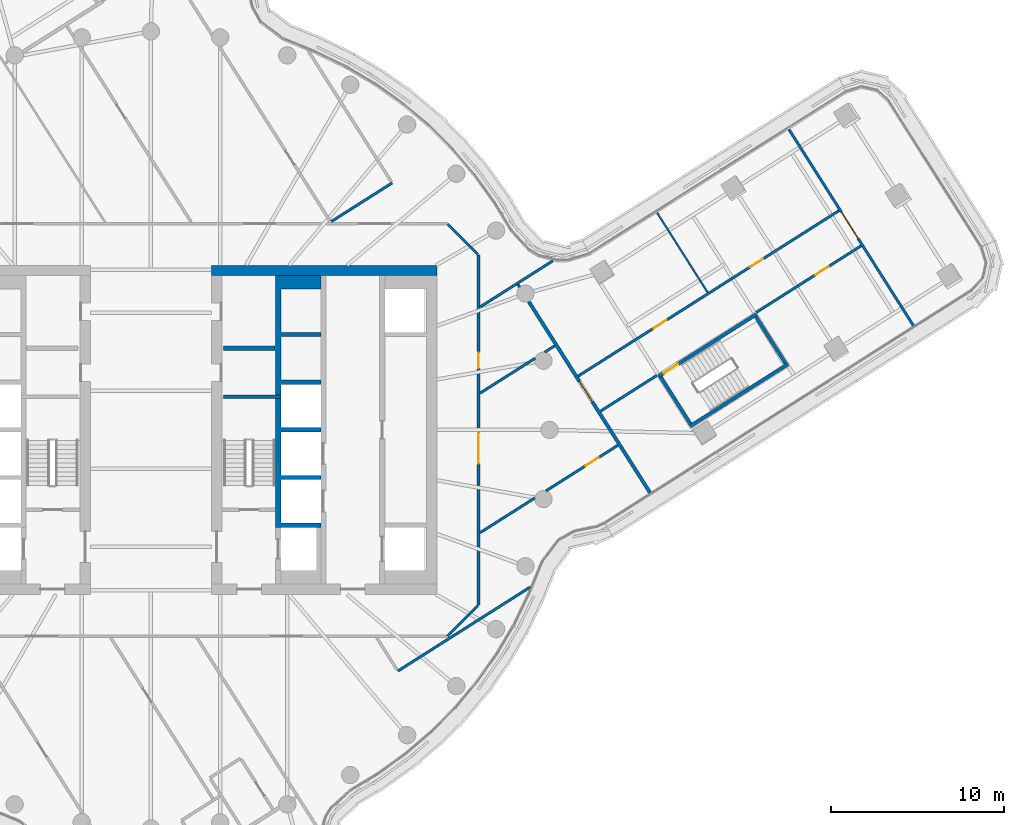
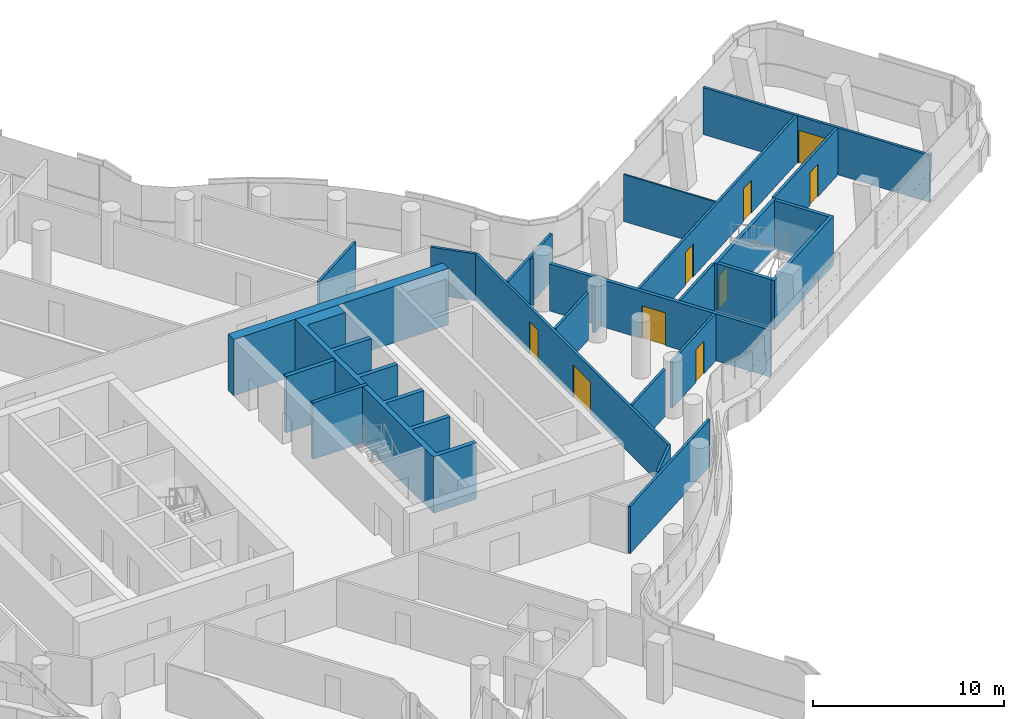
# One storey, part 26 of 36: 25 walls, 9 doors, 9 openings.
"""IFC4 building model written with IfcOpenShell, lengths in metres."""

import ifcopenshell
import ifcopenshell.guid

model = None  # the IFC model being written
_history = None  # IfcOwnerHistory: only IFC2X3 demands one
_inside = {}  # id of a spatial element -> (the spatial element, [elements in it])
_under = {}  # id of a project, library or spatial element -> (it, [spatial elements below it])
_declared = {}  # id of a project -> (the project, [libraries it declares])
_typed = {}  # id of a type object -> (the type object, [elements of that type])
_made_of = {}  # id of a material, layer set ... -> (it, [elements and type objects made of it])


def new_model(schema):
    """Start an empty IFC model of exactly this schema.

    Asked for "IFC4X3", IfcOpenShell would pick the latest addendum, in which some entities
    have other attributes; the version numbers below select the first issue.
    IFC2X3 requires an IfcOwnerHistory on every rooted entity: one is made here for all.
    """
    global model, _history
    if schema == "IFC4X3":
        model = ifcopenshell.file(schema_version=(4, 3, 0, 0))
    else:
        model = ifcopenshell.file(schema=schema)
    _inside.clear()
    _under.clear()
    _declared.clear()
    _typed.clear()
    _made_of.clear()
    _history = None
    if model.schema == "IFC2X3":
        org = make("IfcOrganization", Name="unknown")
        user = make(
            "IfcPersonAndOrganization",
            ThePerson=make("IfcPerson", FamilyName="unknown"),
            TheOrganization=org,
        )
        app = make(
            "IfcApplication",
            ApplicationDeveloper=org,
            Version="unknown",
            ApplicationFullName="unknown",
            ApplicationIdentifier="unknown",
        )
        _history = make(
            "IfcOwnerHistory",
            OwningUser=user,
            OwningApplication=app,
            ChangeAction="ADDED",
            CreationDate=0,
        )
    return model


def make(cls, **values):
    """One entity of the class cls with the attributes given. An attribute that is None is left unset."""
    return model.create_entity(
        cls, **{name: value for name, value in values.items() if value is not None}
    )


def rooted(cls, **values):
    """An entity with a GlobalId (a new one), such as an element, a storey or a relation."""
    return make(cls, GlobalId=ifcopenshell.guid.new(), OwnerHistory=_history, **values)


def si_unit(unit_type, name, prefix=None):
    """IfcSIUnit, for example si_unit("LENGTHUNIT", "METRE", prefix="MILLI")."""
    return make("IfcSIUnit", UnitType=unit_type, Prefix=prefix, Name=name)


def assignment(units):
    """IfcUnitAssignment: the units of a project."""
    return None if units is None else make("IfcUnitAssignment", Units=units)


def point(xyz):
    """IfcCartesianPoint."""
    return None if xyz is None else make("IfcCartesianPoint", Coordinates=xyz)


def direction(xyz):
    """IfcDirection."""
    return None if xyz is None else make("IfcDirection", DirectionRatios=xyz)


def frame(location, z_axis=None, x_axis=None):
    """IfcAxis2Placement3D, a coordinate frame: its origin and axes. An axis left out is left unset."""
    return make(
        "IfcAxis2Placement3D",
        Location=point(location),
        Axis=direction(z_axis),
        RefDirection=direction(x_axis),
    )


def frame_2d(location, x_axis=None):
    """IfcAxis2Placement2D, a coordinate frame in the plane: its origin and x axis."""
    return make(
        "IfcAxis2Placement2D", Location=point(location), RefDirection=direction(x_axis)
    )


def origin():
    """The frame at (0, 0, 0) with its axes left unset."""
    return frame((0.0, 0.0, 0.0))


def place(relative_to, where):
    """IfcLocalPlacement: puts the frame where relative to a parent placement (None: the world)."""
    return make(
        "IfcLocalPlacement", PlacementRelTo=relative_to, RelativePlacement=where
    )


def context(
    kind, dimensions, precision=None, world=None, true_north=None, identifier=None
):
    """IfcGeometricRepresentationContext, for example the 3D "Model" context."""
    return make(
        "IfcGeometricRepresentationContext",
        ContextIdentifier=identifier,
        ContextType=kind,
        CoordinateSpaceDimension=dimensions,
        Precision=precision,
        WorldCoordinateSystem=world,
        TrueNorth=true_north,
    )


def subcontext(parent, identifier, kind, view, scale=None):
    """IfcGeometricRepresentationSubContext, for example "Body" below "Model"."""
    return make(
        "IfcGeometricRepresentationSubContext",
        ContextIdentifier=identifier,
        ContextType=kind,
        ParentContext=parent,
        TargetScale=scale,
        TargetView=view,
    )


def project(units=None, contexts=None):
    """IfcProject with its units and contexts."""
    return rooted(
        "IfcProject",
        Name="project",
        RepresentationContexts=contexts,
        UnitsInContext=assignment(units),
    )


def spatial(cls, under=None, at=None, **own):
    """A site, building, storey or space (cls), placed at a placement, below another one or the project."""
    s = rooted(cls, ObjectPlacement=at, **own)
    if under is not None:
        _under.setdefault(under.id(), (under, []))[1].append(s)
    return s


def polyline(points):
    """IfcPolyline through the points."""
    return make("IfcPolyline", Points=[point(p) for p in points])


def profile(cls, at=None, kind="AREA", **sizes):
    """A parametric profile (cls). Its sizes go by their IFC names, for example OverallWidth=200.0."""
    return make(cls, ProfileType=kind, Position=at, **sizes)


def rectangle(**sizes):
    """IfcRectangleProfileDef."""
    return profile("IfcRectangleProfileDef", **sizes)


def outline(outer, holes=None, kind="AREA"):
    """IfcArbitraryClosedProfileDef: a profile drawn as a closed curve; with holes, ...WithVoids."""
    if holes is None:
        return make("IfcArbitraryClosedProfileDef", ProfileType=kind, OuterCurve=outer)
    return make(
        "IfcArbitraryProfileDefWithVoids",
        ProfileType=kind,
        OuterCurve=outer,
        InnerCurves=holes,
    )


def extrude(swept, where, along, depth):
    """IfcExtrudedAreaSolid: the profile swept, set in the frame where, extruded along a direction by depth."""
    return make(
        "IfcExtrudedAreaSolid",
        SweptArea=swept,
        Position=where,
        ExtrudedDirection=direction(along),
        Depth=depth,
    )


def shape(context_of_items, identifier, shape_type, items):
    """IfcShapeRepresentation: the items that make up one representation, for example the "Body"."""
    return make(
        "IfcShapeRepresentation",
        ContextOfItems=context_of_items,
        RepresentationIdentifier=identifier,
        RepresentationType=shape_type,
        Items=items,
    )


def material(Name=None, Category=None):
    """IfcMaterial."""
    return make("IfcMaterial", Name=Name, Category=Category)


def layer(
    of_material, thickness, ventilated=None, Name=None, Category=None, Priority=None
):
    """IfcMaterialLayer: one layer of a wall or slab, of a material (None: an air gap)."""
    return make(
        "IfcMaterialLayer",
        Material=of_material,
        LayerThickness=thickness,
        IsVentilated=ventilated,
        Name=Name,
        Category=Category,
        Priority=Priority,
    )


def layer_set(layers, Name=None):
    """IfcMaterialLayerSet."""
    return make("IfcMaterialLayerSet", MaterialLayers=layers, LayerSetName=Name)


def made_of(thing, what):
    """Note that an element or type object is made of a material, layer set ...; save() writes the relation."""
    if what is not None:
        _made_of.setdefault(what.id(), (what, []))[1].append(thing)
    return thing


def type_object(cls, material=None, **own):
    """A type object (cls), such as IfcWallType, which elements share."""
    return made_of(rooted(cls, **own), material)


def element(
    cls,
    number,
    at=None,
    inside=None,
    cuts=None,
    type_object=None,
    material=None,
    context=None,
    identifier="Body",
    shape_type=None,
    held_by="IfcProductDefinitionShape",
    body=None,
    shapes=None,
    **own,
):
    """One element of the class cls, such as IfcWall. Its Tag is "e" and its number.

    at: its placement. inside: the storey or other place that contains it. cuts: it is an
    opening in that element (IfcRelVoidsElement). A single representation is given by context,
    identifier, shape_type and body (its items); several are given by shapes. held_by: the class
    of the entity that holds the representations. save() writes the other relations.
    """
    e = rooted(cls, Tag="e%d" % number, ObjectPlacement=at, **own)
    if body is not None:
        shapes = [shape(context, identifier, shape_type, body)]
    if shapes is not None:
        e.Representation = make(held_by, Representations=shapes)
    if inside is not None:
        _inside.setdefault(inside.id(), (inside, []))[1].append(e)
    if cuts is not None:
        rooted(
            "IfcRelVoidsElement", RelatingBuildingElement=cuts, RelatedOpeningElement=e
        )
    if type_object is not None:
        _typed.setdefault(type_object.id(), (type_object, []))[1].append(e)
    return made_of(e, material)


def fill(opening, filler):
    """IfcRelFillsElement: the door or window that sits in an opening."""
    return rooted(
        "IfcRelFillsElement",
        RelatingOpeningElement=opening,
        RelatedBuildingElement=filler,
    )


def aggregate(whole, parts):
    """IfcRelAggregates: a whole, such as a stair, and the parts it consists of."""
    return rooted("IfcRelAggregates", RelatingObject=whole, RelatedObjects=parts)


def save(model, path):
    """Write the relations noted so far, then the file.

    IfcRelAggregates (storeys below a building ...), IfcRelContainedInSpatialStructure (elements
    in a storey), IfcRelDefinesByType, IfcRelAssociatesMaterial and IfcRelDeclares: one each for
    every whole, place, type object, material and project.
    """
    for whole, parts in _under.values():
        aggregate(whole, parts)
    for where, things in _inside.values():
        rooted(
            "IfcRelContainedInSpatialStructure",
            RelatedElements=things,
            RelatingStructure=where,
        )
    for kind, things in _typed.values():
        rooted("IfcRelDefinesByType", RelatedObjects=things, RelatingType=kind)
    for what, things in _made_of.values():
        rooted("IfcRelAssociatesMaterial", RelatedObjects=things, RelatingMaterial=what)
    for by, libraries in _declared.values():
        rooted("IfcRelDeclares", RelatingContext=by, RelatedDefinitions=libraries)
    model.write(path)


model = new_model("IFC4")

# Units and contexts
model_context = context("Model", 3, precision=1e-05, world=origin(), true_north=direction((0.0, 1.0)))
body_context = subcontext(model_context, "Body", "Model", "MODEL_VIEW")
ifc_project = project(units=[si_unit("LENGTHUNIT", "METRE"), si_unit("AREAUNIT", "SQUARE_METRE"), si_unit("VOLUMEUNIT", "CUBIC_METRE"), si_unit("PLANEANGLEUNIT", "RADIAN"), si_unit("MASSUNIT", "GRAM", prefix="KILO")], contexts=[model_context])

# Site, building, storey
site_placement = place(None, origin())
site = spatial("IfcSite", under=ifc_project, at=site_placement, CompositionType="ELEMENT")
building_placement = place(site_placement, origin())
building = spatial("IfcBuilding", under=site, at=building_placement, Name="Tamarind Cross Interchange Tower", CompositionType="ELEMENT")
storey_placement = place(building_placement, frame((0.0, 0.0, 151.75)))
storey = spatial("IfcBuildingStorey", under=building, at=storey_placement, Name="L37", CompositionType="ELEMENT", Elevation=151.75)

# Walls
ifc_material_1 = material(Name="Concrete C60", Category="concrete")
ifc_layer_1 = layer(ifc_material_1, 0.60009765625)
ifc_layer_set_1 = layer_set([ifc_layer_1], Name="Concrete C60")
wall_type_1 = type_object("IfcWallType", Name="Core wall 600 mm Concrete C60", PredefinedType="SHEAR", material=ifc_layer_set_1)
wall_1_placement = place(storey_placement, frame((16.5, 9.199951171875, 0.0), z_axis=(0.0, 0.0, 1.0), x_axis=(-1.0, 0.0, 0.0)))
element("IfcWall", 1, at=wall_1_placement, inside=storey, type_object=wall_type_1, Name="Core wall CWL-L37-E-NE", PredefinedType="SHEAR", context=body_context, shape_type="SweptSolid", body=[
    extrude(rectangle(XDim=13.0, YDim=0.60009765625, at=frame_2d((6.5, 0.0))), origin(), (0.0, 0.0, 1.0), 3.610107421875),
])
ifc_layer_2 = layer(ifc_material_1, 0.199951171875)
ifc_layer_set_2 = layer_set([ifc_layer_2], Name="Concrete C60")
wall_type_2 = type_object("IfcWallType", Name="Core web wall 200 mm Concrete C60", PredefinedType="SHEAR", material=ifc_layer_set_2)
wall_2_placement = place(storey_placement, frame((7.5, 1.89990234375, 0.0), z_axis=(0.0, 0.0, 1.0), x_axis=(-1.0, 0.0, 0.0)))
element("IfcWall", 2, at=wall_2_placement, inside=storey, type_object=wall_type_2, Name="Core wall CWL-L37-E-BD", PredefinedType="SHEAR", context=body_context, shape_type="SweptSolid", body=[
    extrude(rectangle(XDim=3.300048828125, YDim=0.199951171875, at=frame_2d((1.64990234375, 0.0))), origin(), (0.0, 0.0, 1.0), 3.610107421875),
])
ifc_layer_3 = layer(ifc_material_1, 0.300048828125)
ifc_layer_set_3 = layer_set([ifc_layer_3], Name="Concrete C60")
wall_type_3 = type_object("IfcWallType", Name="Core web wall 300 mm Concrete C60", PredefinedType="SHEAR", material=ifc_layer_set_3)
wall_3_placement = place(storey_placement, origin())
element("IfcWall", 3, at=wall_3_placement, inside=storey, type_object=wall_type_3, Name="Core wall CWL-L37-E-BN", PredefinedType="SHEAR", context=body_context, shape_type="SweptSolid", body=[
    extrude(outline(polyline([(9.800048828125, -5.375), (7.5, -5.375), (7.5, -2.875), (9.800048828125, -2.875), (9.800048828125, -2.625), (7.5, -2.625), (7.5, -0.125), (9.800048828125, -0.125), (9.800048828125, 0.125), (7.5, 0.125), (7.5, 2.625), (9.800048828125, 2.625), (9.800048828125, 2.875), (7.5, 2.875), (7.5, 5.375), (9.800048828125, 5.375), (9.800048828125, 5.625), (7.5, 5.625), (7.5, 8.125), (9.800048828125, 8.125), (9.800048828125, 8.89990234375), (7.5, 8.89990234375), (7.199951171875, 8.89990234375), (7.199951171875, -5.625), (7.5, -5.625), (9.800048828125, -5.625), (9.800048828125, -5.375)])), origin(), (0.0, 0.0, 1.0), 3.610107421875),
])
ifc_material_2 = material(Name="Gypsum board partition on steel studs", Category="steel")
ifc_layer_4 = layer(ifc_material_2, 0.10009765625)
ifc_layer_set_4 = layer_set([ifc_layer_4], Name="Gypsum board partition on steel studs")
wall_type_4 = type_object("IfcWallType", Name="Partition 100 mm EI 90", PredefinedType="PARTITIONING", material=ifc_layer_set_4)
wall_4_placement = place(storey_placement, frame((29.20556640625, 12.5361328125, 0.0), z_axis=(0.0, 0.0, 1.0), x_axis=(0.535715752524, -0.844398384945, 0.0)))
element("IfcWall", 4, at=wall_4_placement, inside=storey, type_object=wall_type_4, Name="Partition L37-031", PredefinedType="PARTITIONING", context=body_context, shape_type="SweptSolid", body=[
    extrude(rectangle(XDim=5.450927734375, YDim=0.10009765625, at=frame_2d((2.7255859375, 0.0))), origin(), (0.0, 0.0, 1.0), 3.010009765625),
])
ifc_layer_5 = layer(ifc_material_2, 0.14990234375)
ifc_layer_set_5 = layer_set([ifc_layer_5], Name="Gypsum board partition on steel studs")
wall_type_5 = type_object("IfcWallType", Name="Partition 150 mm EI 120", PredefinedType="PARTITIONING", material=ifc_layer_set_5)
wall_5_placement = place(storey_placement, frame((21.17822265625, 8.3896484375, 0.0), z_axis=(0.0, 0.0, 1.0), x_axis=(0.535205480582, -0.844721903087, 0.0)))
element("IfcWall", 5, at=wall_5_placement, inside=storey, type_object=wall_type_5, Name="Partition L37-029", PredefinedType="PARTITIONING", context=body_context, shape_type="SweptSolid", body=[
    extrude(rectangle(XDim=0.189208984375, YDim=0.14990234375, at=frame_2d((0.0947265625, 0.0))), origin(), (0.0, 0.0, 1.0), 3.010009765625),
])

# Wall, opening, door
wall_6_placement = place(storey_placement, frame((36.8154296875, 17.34130859375, 0.0), z_axis=(0.0, 0.0, 1.0), x_axis=(0.53573555901, -0.844385818694, 0.0)))
wall_6 = element("IfcWall", 6, at=wall_6_placement, inside=storey, type_object=wall_type_5, Name="Partition L37-032", PredefinedType="PARTITIONING", context=body_context, shape_type="SweptSolid", body=[
    extrude(rectangle(XDim=13.406494140625, YDim=0.14990234375, at=frame_2d((6.703125, 0.0))), origin(), (0.0, 0.0, 1.0), 3.010009765625),
])
opening_1_placement = place(wall_6_placement, frame((5.6572265625, 0.0, 0.0)))
opening_1 = element("IfcOpeningElement", 7, at=opening_1_placement, cuts=wall_6, Name="Opening D22", PredefinedType="OPENING", context=body_context, shape_type="SweptSolid", body=[
    extrude(rectangle(XDim=1.800048828125, YDim=2.10009765625, at=frame_2d((0.89990234375, 1.050048828125))), frame((0.0, 0.0849609375, 0.0), z_axis=(0.0, -1.0, 0.0), x_axis=(1.0, 0.0, 0.0)), (0.0, 0.0, 1.0), 0.169921875),
])
ifc_material_3 = material(Name="Fire-resisting door set")
door_type_1 = type_object("IfcDoorType", Name="Interior door 1800 x 2100 FD60S", OperationType="DOUBLE_DOOR_SINGLE_SWING", PredefinedType="DOOR", material=ifc_material_3)
door_1_placement = place(opening_1_placement, origin())
door_1 = element("IfcDoor", 8, at=door_1_placement, inside=storey, type_object=door_type_1, Name="Door D22", OperationType="DOUBLE_DOOR_SINGLE_SWING", OverallHeight=2.10009765625, OverallWidth=1.800048828125, PredefinedType="DOOR", context=body_context, shape_type="SweptSolid", body=[
    extrude(rectangle(XDim=1.800048828125, YDim=2.10009765625, at=frame_2d((0.89990234375, 1.050048828125))), frame((0.0, 0.02490234375, 0.0), z_axis=(0.0, -1.0, 0.0), x_axis=(1.0, 0.0, 0.0)), (0.0, 0.0, 1.0), 0.050048828125),
])
fill(opening_1, door_1)

# Walls
wall_7_placement = place(storey_placement, frame((17.12841796875, 11.87158203125, 0.0), z_axis=(0.0, 0.0, 1.0), x_axis=(0.707106781187, -0.707106781187, 0.0)))
element("IfcWall", 9, at=wall_7_placement, inside=storey, type_object=wall_type_5, Name="Partition L37-034", PredefinedType="PARTITIONING", context=body_context, shape_type="SweptSolid", body=[
    extrude(rectangle(XDim=2.465087890625, YDim=0.14990234375, at=frame_2d((1.232421875, 0.0))), origin(), (0.0, 0.0, 1.0), 3.010009765625),
])
wall_8_placement = place(storey_placement, frame((10.404052734375, 12.0205078125, 0.0), z_axis=(0.0, 0.0, 1.0), x_axis=(0.844421821782, 0.535678809454, 0.0)))
element("IfcWall", 10, at=wall_8_placement, inside=storey, type_object=wall_type_5, Name="Partition L37-068", PredefinedType="PARTITIONING", context=body_context, shape_type="SweptSolid", body=[
    extrude(rectangle(XDim=4.16015625, YDim=0.14990234375, at=frame_2d((2.080078125, 0.0))), origin(), (0.0, 0.0, 1.0), 3.010009765625),
])
wall_9_placement = place(storey_placement, frame((14.2490234375, -13.9169921875, 0.0), z_axis=(0.0, 0.0, 1.0), x_axis=(0.844422195246, 0.535678220741, 0.0)))
element("IfcWall", 11, at=wall_9_placement, inside=storey, type_object=wall_type_5, Name="Partition L37-069", PredefinedType="PARTITIONING", context=body_context, shape_type="SweptSolid", body=[
    extrude(rectangle(XDim=9.042236328125, YDim=0.14990234375, at=frame_2d((4.52099609375, 0.0))), origin(), (0.0, 0.0, 1.0), 3.010009765625),
])
wall_10_placement = place(storey_placement, frame((18.9970703125, -5.931396484375, 0.0), z_axis=(0.0, 0.0, 1.0), x_axis=(0.844425849741, 0.535672459894, 0.0)))
element("IfcWall", 12, at=wall_10_placement, inside=storey, type_object=wall_type_5, Name="Partition L37-070", PredefinedType="PARTITIONING", context=body_context, shape_type="SweptSolid", body=[
    extrude(rectangle(XDim=3.744140625, YDim=0.14990234375, at=frame_2d((1.8720703125, 0.0))), origin(), (0.0, 0.0, 1.0), 3.010009765625),
])

# Wall, opening, door
wall_11_placement = place(storey_placement, frame((22.794677734375, -3.5224609375, 0.0), z_axis=(0.0, 0.0, 1.0), x_axis=(0.844458169001, 0.535621508911, 0.0)))
wall_11 = element("IfcWall", 13, at=wall_11_placement, inside=storey, type_object=wall_type_5, Name="Partition L37-071", PredefinedType="PARTITIONING", context=body_context, shape_type="SweptSolid", body=[
    extrude(rectangle(XDim=4.91552734375, YDim=0.14990234375, at=frame_2d((2.457763671875, 0.0))), origin(), (0.0, 0.0, 1.0), 3.010009765625),
])
opening_2_placement = place(wall_11_placement, frame((2.699951171875, 0.0, 0.0)))
opening_2 = element("IfcOpeningElement", 14, at=opening_2_placement, cuts=wall_11, Name="Opening D38", PredefinedType="OPENING", context=body_context, shape_type="SweptSolid", body=[
    extrude(rectangle(XDim=0.89990234375, YDim=2.10009765625, at=frame_2d((0.449951171875, 1.050048828125))), frame((0.0, 0.0849609375, 0.0), z_axis=(0.0, -1.0, 0.0), x_axis=(1.0, 0.0, 0.0)), (0.0, 0.0, 1.0), 0.169921875),
])
door_type_2 = type_object("IfcDoorType", Name="Interior door 900 x 2100 FD60S", OperationType="SINGLE_SWING_LEFT", PredefinedType="DOOR", material=ifc_material_3)
door_2_placement = place(opening_2_placement, frame((0.89990234375, 0.0, 0.0), z_axis=(0.0, 0.0, 1.0), x_axis=(-1.0, 0.0, 0.0)))
door_2 = element("IfcDoor", 15, at=door_2_placement, inside=storey, type_object=door_type_2, Name="Door D38", OperationType="SINGLE_SWING_RIGHT", OverallHeight=2.10009765625, OverallWidth=0.89990234375, PredefinedType="DOOR", context=body_context, shape_type="SweptSolid", body=[
    extrude(rectangle(XDim=0.89990234375, YDim=2.10009765625, at=frame_2d((0.449951171875, 1.050048828125))), frame((0.0, 0.02490234375, 0.0), z_axis=(0.0, -1.0, 0.0), x_axis=(1.0, 0.0, 0.0)), (0.0, 0.0, 1.0), 0.050048828125),
])
fill(opening_2, door_2)

# Walls
wall_12_placement = place(storey_placement, frame((18.9970703125, 2.12158203125, 0.0), z_axis=(0.0, 0.0, 1.0), x_axis=(0.844431403995, 0.535663704153, 0.0)))
element("IfcWall", 16, at=wall_12_placement, inside=storey, type_object=wall_type_5, Name="Partition L37-072", PredefinedType="PARTITIONING", context=body_context, shape_type="SweptSolid", body=[
    extrude(rectangle(XDim=3.769287109375, YDim=0.14990234375, at=frame_2d((1.884765625, 0.0))), origin(), (0.0, 0.0, 1.0), 3.010009765625),
])
wall_13_placement = place(storey_placement, frame((22.722412109375, 4.484619140625, 0.0), z_axis=(0.0, 0.0, 1.0), x_axis=(0.844332505382, 0.535819578174, 0.0)))
element("IfcWall", 17, at=wall_13_placement, inside=storey, type_object=wall_type_5, Name="Partition L37-073", PredefinedType="PARTITIONING", context=body_context, shape_type="SweptSolid", body=[
    extrude(rectangle(XDim=0.6884765625, YDim=0.14990234375, at=frame_2d((0.34423828125, 0.0))), origin(), (0.0, 0.0, 1.0), 3.010009765625),
])
wall_14_placement = place(storey_placement, frame((18.9970703125, 7.095703125, 0.0), z_axis=(0.0, 0.0, 1.0), x_axis=(0.844555681742, 0.535467739866, 0.0)))
element("IfcWall", 18, at=wall_14_placement, inside=storey, type_object=wall_type_5, Name="Partition L37-074", PredefinedType="PARTITIONING", context=body_context, shape_type="SweptSolid", body=[
    extrude(rectangle(XDim=4.973876953125, YDim=0.14990234375, at=frame_2d((2.48681640625, 0.0))), origin(), (0.0, 0.0, 1.0), 3.010009765625),
])

# Wall, openings, doors
wall_15_placement = place(storey_placement, frame((24.65478515625, 3.105224609375, 0.0), z_axis=(0.0, 0.0, 1.0), x_axis=(0.844430868609, 0.535664548146, 0.0)))
wall_15 = element("IfcWall", 19, at=wall_15_placement, inside=storey, type_object=wall_type_5, Name="Partition L37-075", PredefinedType="PARTITIONING", context=body_context, shape_type="SweptSolid", body=[
    extrude(rectangle(XDim=17.815185546875, YDim=0.14990234375, at=frame_2d((8.90771484375, 0.0))), origin(), (0.0, 0.0, 1.0), 3.010009765625),
])
opening_3_placement = place(wall_15_placement, frame((5.14501953125, 0.0, 0.0)))
opening_3 = element("IfcOpeningElement", 20, at=opening_3_placement, cuts=wall_15, Name="Opening D39", PredefinedType="OPENING", context=body_context, shape_type="SweptSolid", body=[
    extrude(rectangle(XDim=0.89990234375, YDim=2.10009765625, at=frame_2d((0.449951171875, 1.050048828125))), frame((0.0, 0.0849609375, 0.0), z_axis=(0.0, -1.0, 0.0), x_axis=(1.0, 0.0, 0.0)), (0.0, 0.0, 1.0), 0.169921875),
])
opening_4_placement = place(wall_15_placement, frame((11.7451171875, 0.0, 0.0)))
opening_4 = element("IfcOpeningElement", 21, at=opening_4_placement, cuts=wall_15, Name="Opening D40", PredefinedType="OPENING", context=body_context, shape_type="SweptSolid", body=[
    extrude(rectangle(XDim=0.89990234375, YDim=2.10009765625, at=frame_2d((0.449951171875, 1.050048828125))), frame((0.0, 0.0849609375, 0.0), z_axis=(0.0, -1.0, 0.0), x_axis=(1.0, 0.0, 0.0)), (0.0, 0.0, 1.0), 0.169921875),
])
door_3_placement = place(opening_3_placement, origin())
door_3 = element("IfcDoor", 22, at=door_3_placement, inside=storey, type_object=door_type_2, Name="Door D39", OperationType="SINGLE_SWING_RIGHT", OverallHeight=2.10009765625, OverallWidth=0.89990234375, PredefinedType="DOOR", context=body_context, shape_type="SweptSolid", body=[
    extrude(rectangle(XDim=0.89990234375, YDim=2.10009765625, at=frame_2d((0.449951171875, 1.050048828125))), frame((0.0, 0.02490234375, 0.0), z_axis=(0.0, -1.0, 0.0), x_axis=(1.0, 0.0, 0.0)), (0.0, 0.0, 1.0), 0.050048828125),
])
fill(opening_3, door_3)
door_4_placement = place(opening_4_placement, origin())
door_4 = element("IfcDoor", 23, at=door_4_placement, inside=storey, type_object=door_type_2, Name="Door D40", OperationType="SINGLE_SWING_LEFT", OverallHeight=2.10009765625, OverallWidth=0.89990234375, PredefinedType="DOOR", context=body_context, shape_type="SweptSolid", body=[
    extrude(rectangle(XDim=0.89990234375, YDim=2.10009765625, at=frame_2d((0.449951171875, 1.050048828125))), frame((0.0, 0.02490234375, 0.0), z_axis=(0.0, -1.0, 0.0), x_axis=(1.0, 0.0, 0.0)), (0.0, 0.0, 1.0), 0.050048828125),
])
fill(opening_4, door_4)

# Wall
wall_16_placement = place(storey_placement, frame((25.940673828125, 1.078369140625, 0.0), z_axis=(0.0, 0.0, 1.0), x_axis=(0.844417032773, 0.535686358575, 0.0)))
element("IfcWall", 24, at=wall_16_placement, inside=storey, type_object=wall_type_5, Name="Partition L37-076", PredefinedType="PARTITIONING", context=body_context, shape_type="SweptSolid", body=[
    extrude(rectangle(XDim=3.854248046875, YDim=0.14990234375, at=frame_2d((1.92724609375, 0.0))), origin(), (0.0, 0.0, 1.0), 3.010009765625),
])

# Wall, opening, door
wall_17_placement = place(storey_placement, frame((34.920654296875, 6.775634765625, 0.0), z_axis=(0.0, 0.0, 1.0), x_axis=(0.844393023441, 0.535724203266, 0.0)))
wall_17 = element("IfcWall", 25, at=wall_17_placement, inside=storey, type_object=wall_type_5, Name="Partition L37-077", PredefinedType="PARTITIONING", context=body_context, shape_type="SweptSolid", body=[
    extrude(rectangle(XDim=7.179443359375, YDim=0.14990234375, at=frame_2d((3.58984375, 0.0))), origin(), (0.0, 0.0, 1.0), 3.010009765625),
])
opening_5_placement = place(wall_17_placement, frame((4.050048828125, 0.0, 0.0)))
opening_5 = element("IfcOpeningElement", 26, at=opening_5_placement, cuts=wall_17, Name="Opening D41", PredefinedType="OPENING", context=body_context, shape_type="SweptSolid", body=[
    extrude(rectangle(XDim=0.89990234375, YDim=2.10009765625, at=frame_2d((0.449951171875, 1.050048828125))), frame((0.0, 0.0849609375, 0.0), z_axis=(0.0, -1.0, 0.0), x_axis=(1.0, 0.0, 0.0)), (0.0, 0.0, 1.0), 0.169921875),
])
door_5_placement = place(opening_5_placement, frame((0.89990234375, 0.0, 0.0), z_axis=(0.0, 0.0, 1.0), x_axis=(-1.0, 0.0, 0.0)))
door_5 = element("IfcDoor", 27, at=door_5_placement, inside=storey, type_object=door_type_2, Name="Door D41", OperationType="SINGLE_SWING_RIGHT", OverallHeight=2.10009765625, OverallWidth=0.89990234375, PredefinedType="DOOR", context=body_context, shape_type="SweptSolid", body=[
    extrude(rectangle(XDim=0.89990234375, YDim=2.10009765625, at=frame_2d((0.449951171875, 1.050048828125))), frame((0.0, 0.02490234375, 0.0), z_axis=(0.0, -1.0, 0.0), x_axis=(1.0, 0.0, 0.0)), (0.0, 0.0, 1.0), 0.050048828125),
])
fill(opening_5, door_5)

# Wall
wall_18_placement = place(storey_placement, frame((17.10009765625, -11.89990234375, 0.0), z_axis=(0.0, 0.0, 1.0), x_axis=(0.707106781187, 0.707106781187, 0.0)))
element("IfcWall", 28, at=wall_18_placement, inside=storey, type_object=wall_type_5, Name="Partition L37-079", PredefinedType="PARTITIONING", context=body_context, shape_type="SweptSolid", body=[
    extrude(rectangle(XDim=2.50537109375, YDim=0.14990234375, at=frame_2d((1.252685546875, 0.0))), origin(), (0.0, 0.0, 1.0), 3.010009765625),
])

# Wall, openings, doors
wall_19_placement = place(storey_placement, frame((18.89990234375, -10.10009765625, 0.0), z_axis=(0.0, 0.0, 1.0), x_axis=(0.0, 1.0, 0.0)))
wall_19 = element("IfcWall", 29, at=wall_19_placement, inside=storey, type_object=wall_type_5, Name="Partition L37-081", PredefinedType="PARTITIONING", context=body_context, shape_type="SweptSolid", body=[
    extrude(rectangle(XDim=20.2001953125, YDim=0.14990234375, at=frame_2d((10.10009765625, 0.0))), origin(), (0.0, 0.0, 1.0), 3.010009765625),
])
opening_6_placement = place(wall_19_placement, frame((8.156982421875, 0.0, 0.0)))
opening_6 = element("IfcOpeningElement", 30, at=opening_6_placement, cuts=wall_19, Name="Opening D44", PredefinedType="OPENING", context=body_context, shape_type="SweptSolid", body=[
    extrude(rectangle(XDim=1.800048828125, YDim=2.10009765625, at=frame_2d((0.89990234375, 1.050048828125))), frame((0.0, 0.0849609375, 0.0), z_axis=(0.0, -1.0, 0.0), x_axis=(1.0, 0.0, 0.0)), (0.0, 0.0, 1.0), 0.169921875),
])
opening_7_placement = place(wall_19_placement, frame((13.659912109375, 0.0, 0.0)))
opening_7 = element("IfcOpeningElement", 31, at=opening_7_placement, cuts=wall_19, Name="Opening D45", PredefinedType="OPENING", context=body_context, shape_type="SweptSolid", body=[
    extrude(rectangle(XDim=0.89990234375, YDim=2.10009765625, at=frame_2d((0.449951171875, 1.050048828125))), frame((0.0, 0.0849609375, 0.0), z_axis=(0.0, -1.0, 0.0), x_axis=(1.0, 0.0, 0.0)), (0.0, 0.0, 1.0), 0.169921875),
])
door_6_placement = place(opening_6_placement, origin())
door_6 = element("IfcDoor", 32, at=door_6_placement, inside=storey, type_object=door_type_1, Name="Door D44", OperationType="DOUBLE_DOOR_SINGLE_SWING", OverallHeight=2.10009765625, OverallWidth=1.800048828125, PredefinedType="DOOR", context=body_context, shape_type="SweptSolid", body=[
    extrude(rectangle(XDim=1.800048828125, YDim=2.10009765625, at=frame_2d((0.89990234375, 1.050048828125))), frame((0.0, 0.02490234375, 0.0), z_axis=(0.0, -1.0, 0.0), x_axis=(1.0, 0.0, 0.0)), (0.0, 0.0, 1.0), 0.050048828125),
])
fill(opening_6, door_6)
door_7_placement = place(opening_7_placement, frame((0.89990234375, 0.0, 0.0), z_axis=(0.0, 0.0, 1.0), x_axis=(-1.0, 0.0, 0.0)))
door_7 = element("IfcDoor", 33, at=door_7_placement, inside=storey, type_object=door_type_2, Name="Door D45", OperationType="SINGLE_SWING_RIGHT", OverallHeight=2.10009765625, OverallWidth=0.89990234375, PredefinedType="DOOR", context=body_context, shape_type="SweptSolid", body=[
    extrude(rectangle(XDim=0.89990234375, YDim=2.10009765625, at=frame_2d((0.449951171875, 1.050048828125))), frame((0.0, 0.02490234375, 0.0), z_axis=(0.0, -1.0, 0.0), x_axis=(1.0, 0.0, 0.0)), (0.0, 0.0, 1.0), 0.050048828125),
])
fill(opening_7, door_7)

# Wall, opening, door
ifc_layer_6 = layer(ifc_material_2, 0.199951171875)
ifc_layer_set_6 = layer_set([ifc_layer_6], Name="Gypsum board partition on steel studs")
wall_type_6 = type_object("IfcWallType", Name="Partition 200 mm EI 180", PredefinedType="PARTITIONING", material=ifc_layer_set_6)
wall_20_placement = place(storey_placement, frame((21.8017578125, 7.406982421875, 0.0), z_axis=(0.0, 0.0, 1.0), x_axis=(0.535767031035, -0.844365849888, 0.0)))
wall_20 = element("IfcWall", 34, at=wall_20_placement, inside=storey, type_object=wall_type_6, Name="Partition L37-030", PredefinedType="PARTITIONING", context=body_context, shape_type="SweptSolid", body=[
    extrude(rectangle(XDim=13.059814453125, YDim=0.199951171875, at=frame_2d((6.52978515625, 0.0))), origin(), (0.0, 0.0, 1.0), 3.010009765625),
])
opening_8_placement = place(wall_20_placement, frame((5.460693359375, 0.0, 0.0)))
opening_8 = element("IfcOpeningElement", 35, at=opening_8_placement, cuts=wall_20, Name="Opening D21", PredefinedType="OPENING", context=body_context, shape_type="SweptSolid", body=[
    extrude(rectangle(XDim=1.39990234375, YDim=2.10009765625, at=frame_2d((0.699951171875, 1.050048828125))), frame((0.0, 0.10986328125, 0.0), z_axis=(0.0, -1.0, 0.0), x_axis=(1.0, 0.0, 0.0)), (0.0, 0.0, 1.0), 0.219970703125),
])
door_type_3 = type_object("IfcDoorType", Name="Interior door 1400 x 2100 FD120S", OperationType="DOUBLE_DOOR_SINGLE_SWING", PredefinedType="DOOR", material=ifc_material_3)
door_8_placement = place(opening_8_placement, frame((1.39990234375, 0.0, 0.0), z_axis=(0.0, 0.0, 1.0), x_axis=(-1.0, 0.0, 0.0)))
door_8 = element("IfcDoor", 36, at=door_8_placement, inside=storey, type_object=door_type_3, Name="Door D21", OperationType="DOUBLE_DOOR_SINGLE_SWING", OverallHeight=2.10009765625, OverallWidth=1.39990234375, PredefinedType="DOOR", context=body_context, shape_type="SweptSolid", body=[
    extrude(rectangle(XDim=1.39990234375, YDim=2.10009765625, at=frame_2d((0.699951171875, 1.050048828125))), frame((0.0, 0.02490234375, 0.0), z_axis=(0.0, -1.0, 0.0), x_axis=(1.0, 0.0, 0.0)), (0.0, 0.0, 1.0), 0.050048828125),
])
fill(opening_8, door_8)

# Wall
ifc_material_4 = material(Name="Concrete C40", Category="concrete")
ifc_layer_7 = layer(ifc_material_4, 0.25)
ifc_layer_set_7 = layer_set([ifc_layer_7], Name="Concrete C40")
wall_type_7 = type_object("IfcWallType", Name="Shaft and lobby wall 250 mm Concrete C40", PredefinedType="PARTITIONING", material=ifc_layer_set_7)
wall_21_placement = place(storey_placement, frame((7.14990234375, 4.719970703125, 0.0), z_axis=(0.0, 0.0, 1.0), x_axis=(-1.0, 0.0, 0.0)))
element("IfcWall", 37, at=wall_21_placement, inside=storey, type_object=wall_type_7, Name="Shaft wall CWL-L37-E-SVP", PredefinedType="PARTITIONING", context=body_context, shape_type="SweptSolid", body=[
    extrude(rectangle(XDim=2.949951171875, YDim=0.25, at=frame_2d((1.47509765625, 0.0))), origin(), (0.0, 0.0, 1.0), 3.610107421875),
])

# Wall, opening, door
ifc_layer_8 = layer(ifc_material_4, 0.199951171875)
ifc_layer_set_8 = layer_set([ifc_layer_8], Name="Concrete C40")
wall_type_8 = type_object("IfcWallType", Name="Stair shaft wall 200 mm Concrete C40", PredefinedType="SHEAR", material=ifc_layer_set_8)
wall_22_placement = place(storey_placement, frame((29.282958984375, 3.080322265625, -0.139892578125), z_axis=(0.0, 0.0, 1.0), x_axis=(0.844437826511, 0.53565357943, 0.0)))
wall_22 = element("IfcWall", 38, at=wall_22_placement, inside=storey, type_object=wall_type_8, Name="Core wall CWL-L37-ST3-H", PredefinedType="SHEAR", context=body_context, shape_type="SweptSolid", body=[
    extrude(rectangle(XDim=6.699951171875, YDim=0.199951171875, at=frame_2d((3.35009765625, 0.0))), origin(), (0.0, 0.0, 1.0), 3.14990234375),
])
opening_9_placement = place(wall_22_placement, frame((0.35009765625, 0.0, 0.0)))
opening_9 = element("IfcOpeningElement", 39, at=opening_9_placement, cuts=wall_22, Name="Opening ST3L37", PredefinedType="OPENING", context=body_context, shape_type="SweptSolid", body=[
    extrude(rectangle(XDim=1.0, YDim=2.10009765625, at=frame_2d((0.5, 1.050048828125))), frame((0.0, 0.10986328125, 0.0), z_axis=(0.0, -1.0, 0.0), x_axis=(1.0, 0.0, 0.0)), (0.0, 0.0, 1.0), 0.219970703125),
])
ifc_material_5 = material(Name="Steel, fire-resisting", Category="steel")
door_type_4 = type_object("IfcDoorType", Name="Core fire door 1000 x 2100 FD90", OperationType="SINGLE_SWING_LEFT", PredefinedType="DOOR", material=ifc_material_5)
door_9_placement = place(opening_9_placement, origin())
door_9 = element("IfcDoor", 40, at=door_9_placement, inside=storey, type_object=door_type_4, Name="L37 stair door ST3", OperationType="SINGLE_SWING_LEFT", OverallHeight=2.10009765625, OverallWidth=1.0, PredefinedType="DOOR", context=body_context, shape_type="SweptSolid", body=[
    extrude(rectangle(XDim=1.0, YDim=2.10009765625, at=frame_2d((0.5, 1.050048828125))), frame((0.0, 0.02490234375, 0.0), z_axis=(0.0, -1.0, 0.0), x_axis=(1.0, 0.0, 0.0)), (0.0, 0.0, 1.0), 0.050048828125),
])
fill(opening_9, door_9)

# Walls
wall_23_placement = place(storey_placement, frame((31.104248046875, 0.209228515625, -0.139892578125), z_axis=(0.0, 0.0, 1.0), x_axis=(0.844421344112, 0.535679562432, 0.0)))
element("IfcWall", 41, at=wall_23_placement, inside=storey, type_object=wall_type_8, Name="Core wall CWL-L37-ST3-C", PredefinedType="SHEAR", context=body_context, shape_type="SweptSolid", body=[
    extrude(rectangle(XDim=6.7001953125, YDim=0.199951171875, at=frame_2d((3.35009765625, 0.0))), origin(), (0.0, 0.0, 1.0), 3.14990234375),
])
wall_24_placement = place(storey_placement, frame((31.135009765625, 0.347412109375, -0.139892578125), z_axis=(0.0, 0.0, 1.0), x_axis=(-0.535665444282, 0.844430300144, 0.0)))
element("IfcWall", 42, at=wall_24_placement, inside=storey, type_object=wall_type_8, Name="Core wall CWL-L37-ST3-CE", PredefinedType="SHEAR", context=body_context, shape_type="SweptSolid", body=[
    extrude(rectangle(XDim=3.199951171875, YDim=0.199951171875, at=frame_2d((1.60009765625, 0.0))), origin(), (0.0, 0.0, 1.0), 3.14990234375),
])
wall_25_placement = place(storey_placement, frame((0.0, 0.0, -0.139892578125)))
element("IfcWall", 43, at=wall_25_placement, inside=storey, type_object=wall_type_8, Name="Core wall CWL-L37-ST3-CF", PredefinedType="SHEAR", context=body_context, shape_type="SweptSolid", body=[
    extrude(outline(polyline([(36.539306640625, 3.775634765625), (36.708251953125, 3.8828125), (34.994140625, 6.5849609375), (34.8251953125, 6.477783203125), (36.539306640625, 3.775634765625)])), origin(), (0.0, 0.0, 1.0), 3.14990234375),
])

save(model, "model.ifc")
